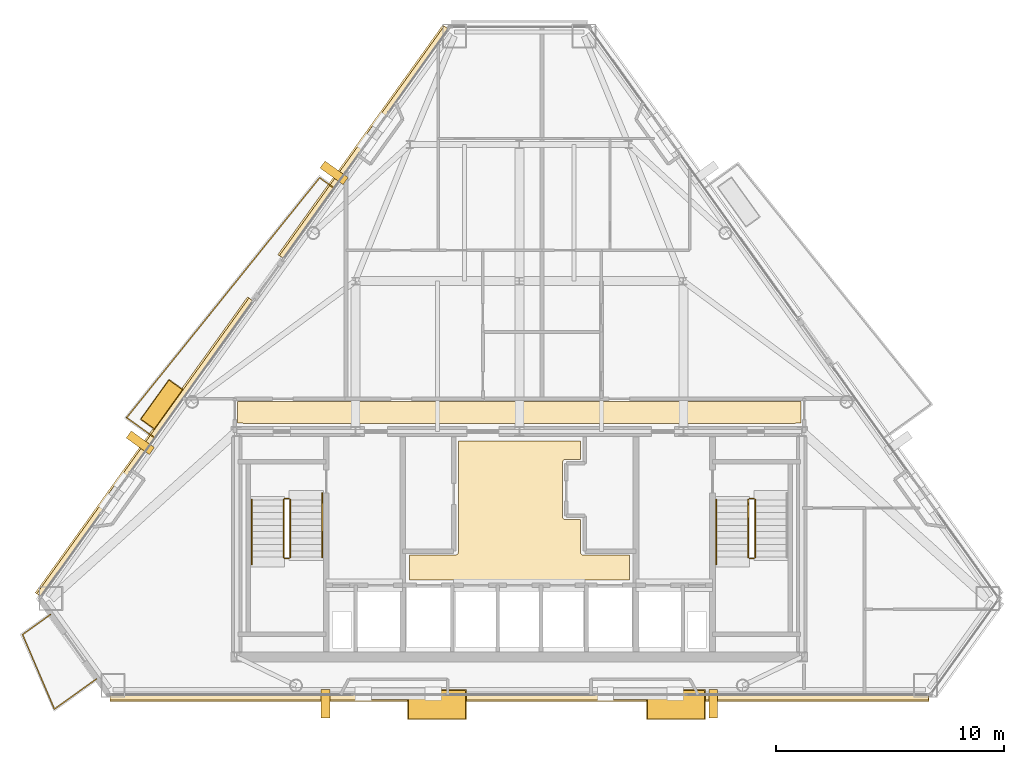
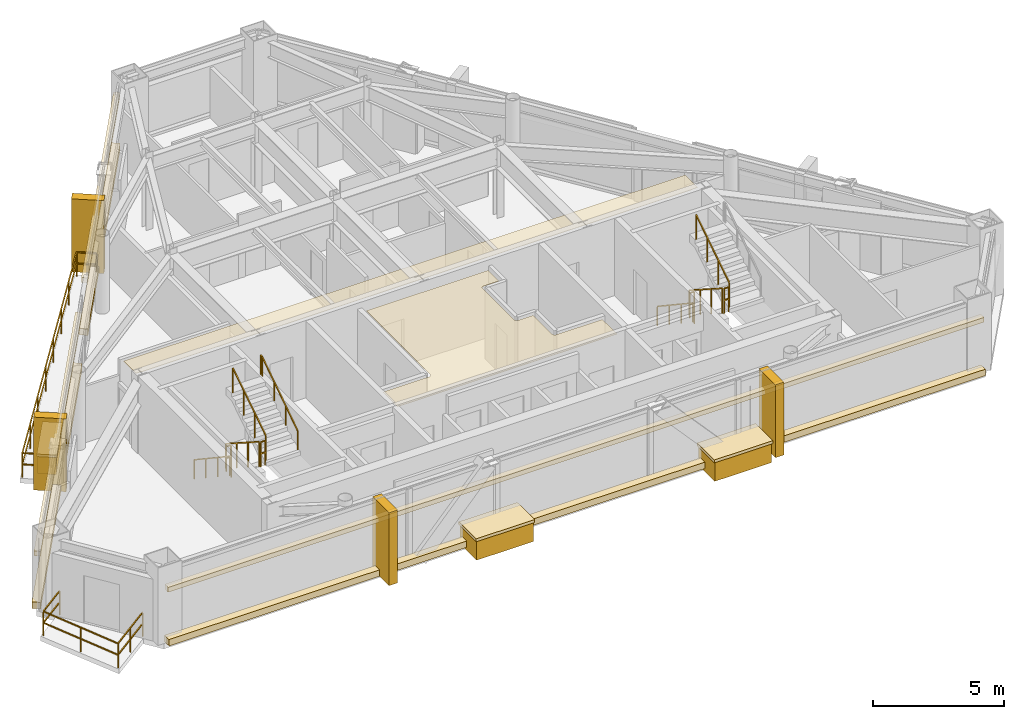
# One storey, part 10 of 11: 18 coverings, 13 railings.
"""IFC4 building model written with IfcOpenShell, lengths in metres."""

from ifc_helpers import new_model, si_unit, direction, frame, origin, origin_2d, place, context, subcontext, project, spatial, polyline, rectangle, outline, extrude, material, layer, layer_set, type_object, element, save


model = new_model("IFC4")

# Units and contexts
model_context = context("Model", 3, precision=1e-05, world=origin(), true_north=direction((0.0, 1.0)))
body_context = subcontext(model_context, "Body", "Model", "MODEL_VIEW")
ifc_project = project(units=[si_unit("LENGTHUNIT", "METRE"), si_unit("AREAUNIT", "SQUARE_METRE"), si_unit("VOLUMEUNIT", "CUBIC_METRE"), si_unit("PLANEANGLEUNIT", "RADIAN"), si_unit("MASSUNIT", "GRAM", prefix="KILO")], contexts=[model_context])

# Site, building, storey
site_placement = place(None, origin())
site = spatial("IfcSite", under=ifc_project, at=site_placement, CompositionType="ELEMENT")
building_placement = place(site_placement, origin())
building = spatial("IfcBuilding", under=site, at=building_placement, Name="Talgorran Terracotta Tower", CompositionType="ELEMENT")
storey_placement = place(building_placement, frame((0.0, 0.0, 218.10009765625)))
storey = spatial("IfcBuildingStorey", under=building, at=storey_placement, Name="L57", CompositionType="ELEMENT", Elevation=218.10009765625)

# Coverings
ifc_material_1 = material(Name="Kiln-Fired Terracotta Ochre Ceramic", Category="masonry")
ifc_layer_1 = layer(ifc_material_1, 0.179931640625, Name="COV_BAGUETTE_TERRACOTTA_SCREEN")
ifc_layer_set_1 = layer_set([ifc_layer_1], Name="Kiln-Fired Terracotta Ochre Ceramic")
covering_type_1 = type_object("IfcCoveringType", Name="COV_BAGUETTE_TERRACOTTA_SCREEN", PredefinedType="CLADDING", material=ifc_layer_set_1)
covering_1_placement = place(storey_placement, frame((0.0, -15.852294921875, 2.41015625), z_axis=(0.0, 0.0, 1.0), x_axis=(1.0, 0.0, 0.0)))
element("IfcCovering", 1, at=covering_1_placement, inside=storey, type_object=covering_type_1, Name="L57 Terracotta Baguette Solar Screen Assembly F1", PredefinedType="CLADDING", context=body_context, shape_type="SweptSolid", body=[
    extrude(rectangle(XDim=35.930908203125, YDim=0.260009765625, at=origin_2d()), origin(), (0.0, 0.0, 1.0), 0.219970703125),
])
covering_2_placement = place(storey_placement, frame((-6.808837890625, 8.485107421875, 2.41015625), z_axis=(0.0, 0.0, 1.0), x_axis=(-0.583115925445, -0.812388957023, 0.0)))
element("IfcCovering", 2, at=covering_2_placement, inside=storey, type_object=covering_type_1, Name="L57 Terracotta Baguette Solar Screen Assembly F60", PredefinedType="CLADDING", context=body_context, shape_type="SweptSolid", body=[
    extrude(rectangle(XDim=12.39990234375, YDim=0.260009765625, at=origin_2d()), origin(), (0.0, 0.0, 1.0), 0.219970703125),
])
covering_3_placement = place(storey_placement, frame((-16.4208984375, -4.906005859375, 2.41015625), z_axis=(0.0, 0.0, 1.0), x_axis=(-0.583115925445, -0.812388957023, 0.0)))
element("IfcCovering", 3, at=covering_3_placement, inside=storey, type_object=covering_type_1, Name="L57 Terracotta Baguette Solar Screen Assembly F61", PredefinedType="CLADDING", context=body_context, shape_type="SweptSolid", body=[
    extrude(rectangle(XDim=15.96728515625, YDim=0.260009765625, at=origin_2d()), origin(), (0.0, 0.0, 1.0), 0.219970703125),
])
ifc_material_2 = material(Name="Mineral Fibre Acoustic Tile")
ifc_layer_2 = layer(ifc_material_2, 0.02490234375, Name="COV_CEIL_ACOUSTIC")
ifc_layer_set_2 = layer_set([ifc_layer_2], Name="Mineral Fibre Acoustic Tile")
covering_type_2 = type_object("IfcCoveringType", Name="COV_CEIL_ACOUSTIC", PredefinedType="CEILING", material=ifc_layer_set_2)
covering_4_placement = place(storey_placement, frame((0.0, 0.0, 3.2548828125)))
element("IfcCovering", 4, at=covering_4_placement, inside=storey, type_object=covering_type_2, Name="CEIL-L57-2", PredefinedType="CEILING", context=body_context, shape_type="SweptSolid", body=[
    extrude(outline(polyline([(-12.364990234375, -2.885009765625), (12.364990234375, -2.885009765625), (12.364990234375, -3.830078125), (12.169921875, -3.830078125), (12.158203125, -3.83056640625), (12.146484375, -3.832275390625), (12.13525390625, -3.835205078125), (12.1240234375, -3.839111328125), (12.11328125, -3.84423828125), (12.112060546875, -3.844970703125), (7.432861328125, -3.844970703125), (6.968017578125, -3.843017578125), (6.967529296875, -3.843017578125), (0.232666015625, -3.844970703125), (-0.23193359375, -3.843017578125), (-0.232421875, -3.843017578125), (-6.96728515625, -3.844970703125), (-7.431884765625, -3.843017578125), (-7.4326171875, -3.843017578125), (-12.112060546875, -3.844970703125), (-12.11328125, -3.84423828125), (-12.1240234375, -3.839111328125), (-12.13525390625, -3.835205078125), (-12.146484375, -3.832275390625), (-12.158203125, -3.83056640625), (-12.169921875, -3.830078125), (-12.364990234375, -3.830078125), (-12.364990234375, -2.885009765625)])), origin(), (0.0, 0.0, 1.0), 0.02001953125),
])
ifc_material_3 = material(Name="Flush Moisture-Resistant Plaster")
ifc_layer_3 = layer(ifc_material_3, 0.01806640625, Name="COV_CEIL_PLASTER")
ifc_layer_set_3 = layer_set([ifc_layer_3], Name="Flush Moisture-Resistant Plaster")
covering_type_3 = type_object("IfcCoveringType", Name="COV_CEIL_PLASTER", PredefinedType="CEILING", material=ifc_layer_set_3)
covering_5_placement = place(storey_placement, frame((0.0, 0.0, 3.2548828125)))
element("IfcCovering", 5, at=covering_5_placement, inside=storey, type_object=covering_type_3, Name="CEIL-L57-1", PredefinedType="CEILING", context=body_context, shape_type="SweptSolid", body=[
    extrude(outline(polyline([(4.830078125, -9.6201171875), (4.830078125, -10.72998046875), (-4.830078125, -10.72998046875), (-4.830078125, -9.6201171875), (-2.800048828125, -9.6201171875), (-2.7880859375, -9.619384765625), (-2.776611328125, -9.61767578125), (-2.76513671875, -9.61474609375), (-2.754150390625, -9.61083984375), (-2.743408203125, -9.605712890625), (-2.7333984375, -9.599853515625), (-2.723876953125, -9.5927734375), (-2.715087890625, -9.5849609375), (-2.707275390625, -9.576171875), (-2.7001953125, -9.566650390625), (-2.694091796875, -9.556640625), (-2.689208984375, -9.5458984375), (-2.685302734375, -9.534912109375), (-2.682373046875, -9.5234375), (-2.6806640625, -9.51171875), (-2.679931640625, -9.5), (-2.679931640625, -4.6201171875), (2.679931640625, -4.6201171875), (2.679931640625, -5.429931640625), (2.02001953125, -5.429931640625), (2.00830078125, -5.4306640625), (1.99658203125, -5.432373046875), (1.985107421875, -5.435302734375), (1.97412109375, -5.439208984375), (1.96337890625, -5.444091796875), (1.953369140625, -5.4501953125), (1.94384765625, -5.457275390625), (1.93505859375, -5.465087890625), (1.92724609375, -5.473876953125), (1.920166015625, -5.4833984375), (1.914306640625, -5.493408203125), (1.9091796875, -5.504150390625), (1.9052734375, -5.51513671875), (1.90234375, -5.526611328125), (1.900634765625, -5.5380859375), (1.89990234375, -5.550048828125), (1.89990234375, -7.949951171875), (1.900634765625, -7.9619140625), (1.90234375, -7.973388671875), (1.9052734375, -7.98486328125), (1.9091796875, -7.995849609375), (1.914306640625, -8.006591796875), (1.920166015625, -8.0166015625), (1.92724609375, -8.026123046875), (1.93505859375, -8.034912109375), (1.94384765625, -8.042724609375), (1.953369140625, -8.0498046875), (1.96337890625, -8.055908203125), (1.97412109375, -8.060791015625), (1.985107421875, -8.064697265625), (1.99658203125, -8.067626953125), (2.00830078125, -8.0693359375), (2.02001953125, -8.070068359375), (2.679931640625, -8.070068359375), (2.679931640625, -9.5), (2.6806640625, -9.51171875), (2.682373046875, -9.5234375), (2.685302734375, -9.534912109375), (2.689208984375, -9.5458984375), (2.694091796875, -9.556640625), (2.7001953125, -9.566650390625), (2.707275390625, -9.576171875), (2.715087890625, -9.5849609375), (2.723876953125, -9.5927734375), (2.7333984375, -9.599853515625), (2.743408203125, -9.605712890625), (2.754150390625, -9.61083984375), (2.76513671875, -9.61474609375), (2.776611328125, -9.61767578125), (2.7880859375, -9.619384765625), (2.800048828125, -9.6201171875), (4.830078125, -9.6201171875)])), origin(), (0.0, 0.0, 1.0), 0.02001953125),
])
ifc_material_4 = material(Name="Honed Limestone and Terracotta Planter", Category="masonry")
ifc_layer_4 = layer(ifc_material_4, 0.1201171875, Name="COV_PLANTER_BOX")
ifc_layer_set_4 = layer_set([ifc_layer_4], Name="Honed Limestone and Terracotta Planter")
covering_type_4 = type_object("IfcCoveringType", Name="COV_PLANTER_BOX", PredefinedType="CLADDING", material=ifc_layer_set_4)
for number, where, z_axis, x_axis, name in (
    (6, (6.876953125, -16.192138671875, -0.18017578125), (0.0, 0.0, 1.0), (1.0, 0.0, 0.0), "L57 Staggered South Facade Planter Box 1"),
    (7, (-3.619384765625, -16.192138671875, -0.18017578125), (0.0, 0.0, 1.0), (1.0, 0.0, 0.0), "L57 Staggered South Facade Planter Box 2"),
):
    element("IfcCovering", number, at=place(storey_placement, frame(where, z_axis=z_axis, x_axis=x_axis)), inside=storey, type_object=covering_type_4, Name=name, PredefinedType="CLADDING", context=body_context, shape_type="SweptSolid", body=[
        extrude(rectangle(XDim=2.5, YDim=1.25, at=origin_2d()), origin(), (0.0, 0.0, 1.0), 0.919921875),
    ])
covering_6_placement = place(storey_placement, frame((-15.699462890625, -3.010986328125, -0.02001953125), z_axis=(0.0, 0.0, 1.0), x_axis=(-0.583115925445, -0.812388957023, 0.0)))
element("IfcCovering", 8, at=covering_6_placement, inside=storey, type_object=covering_type_4, Name="L57 Staggered Balcony Planter Box BAL-NW", PredefinedType="CLADDING", context=body_context, shape_type="SweptSolid", body=[
    extrude(rectangle(XDim=2.10009765625, YDim=0.719970703125, at=origin_2d()), origin(), (0.0, 0.0, 1.0), 0.860107421875),
])
ifc_material_5 = material(Name="Kiln-Fired Terracotta Planter Rim", Category="masonry")
ifc_layer_5 = layer(ifc_material_5, 0.10009765625, Name="COV_PLANTER_RIM")
ifc_layer_set_5 = layer_set([ifc_layer_5], Name="Kiln-Fired Terracotta Planter Rim")
covering_type_5 = type_object("IfcCoveringType", Name="COV_PLANTER_RIM", PredefinedType="CLADDING", material=ifc_layer_set_5)
for number, where, z_axis, x_axis, name in (
    (9, (6.876953125, -16.192138671875, 0.7099609375), (0.0, 0.0, 1.0), (1.0, 0.0, 0.0), "L57 South Planter Terracotta Rim 1"),
    (10, (-3.619384765625, -16.192138671875, 0.7099609375), (0.0, 0.0, 1.0), (1.0, 0.0, 0.0), "L57 South Planter Terracotta Rim 2"),
):
    element("IfcCovering", number, at=place(storey_placement, frame(where, z_axis=z_axis, x_axis=x_axis)), inside=storey, type_object=covering_type_5, Name=name, PredefinedType="CLADDING", context=body_context, shape_type="SweptSolid", body=[
        extrude(rectangle(XDim=2.580078125, YDim=1.320068359375, at=origin_2d()), origin(), (0.0, 0.0, 1.0), 0.139892578125),
    ])
covering_7_placement = place(storey_placement, frame((-15.699462890625, -3.010986328125, 0.7998046875), z_axis=(0.0, 0.0, 1.0), x_axis=(-0.583115925445, -0.812388957023, 0.0)))
element("IfcCovering", 11, at=covering_7_placement, inside=storey, type_object=covering_type_5, Name="L57 Balcony Planter Terracotta Rim BAL-NW", PredefinedType="CLADDING", context=body_context, shape_type="SweptSolid", body=[
    extrude(rectangle(XDim=2.179931640625, YDim=0.780029296875, at=origin_2d()), origin(), (0.0, 0.0, 1.0), 0.1201171875),
])
ifc_material_6 = material(Name="Honed Limestone Cladding", Category="masonry")
ifc_layer_6 = layer(ifc_material_6, 0.094970703125, Name="COV_PORTAL_LIME")
ifc_layer_set_6 = layer_set([ifc_layer_6], Name="Honed Limestone Cladding")
covering_type_6 = type_object("IfcCoveringType", Name="COV_PORTAL_LIME", PredefinedType="CLADDING", material=ifc_layer_set_6)
for number, where, z_axis, x_axis, name in (
    (12, (-8.505615234375, -16.152099609375, -0.050048828125), (0.0, 0.0, 1.0), (1.0, 0.0, 0.0), "L57 White Striped Portal Fin F1-1"),
    (13, (-8.133056640625, 7.15478515625, -0.050048828125), (0.0, 0.0, 1.0), (-0.583115925445, -0.812388957023, 0.0), "L57 White Striped Portal Fin F5-1"),
):
    element("IfcCovering", number, at=place(storey_placement, frame(where, z_axis=z_axis, x_axis=x_axis)), inside=storey, type_object=covering_type_6, Name=name, PredefinedType="CLADDING", context=body_context, shape_type="SweptSolid", body=[
        extrude(rectangle(XDim=0.3798828125, YDim=1.25, at=origin_2d()), origin(), (0.0, 0.0, 1.0), 3.39501953125),
    ])
ifc_material_7 = material(Name="Kiln-Fired Terracotta Cladding", Category="masonry")
ifc_layer_7 = layer(ifc_material_7, 0.090087890625, Name="COV_PORTAL_TERRA")
ifc_layer_set_7 = layer_set([ifc_layer_7], Name="Kiln-Fired Terracotta Cladding")
covering_type_7 = type_object("IfcCoveringType", Name="COV_PORTAL_TERRA", PredefinedType="CLADDING", material=ifc_layer_set_7)
covering_8_placement = place(storey_placement, frame((0.0, -15.89208984375, -0.0400390625), z_axis=(0.0, 0.0, 1.0), x_axis=(1.0, 0.0, 0.0)))
element("IfcCovering", 14, at=covering_8_placement, inside=storey, type_object=covering_type_7, Name="L57 Striped Postmodern Portal Cladding Band F1", PredefinedType="CLADDING", context=body_context, shape_type="SweptSolid", body=[
    extrude(rectangle(XDim=35.95068359375, YDim=0.340087890625, at=origin_2d()), origin(), (0.0, 0.0, 1.0), 0.300048828125),
])
covering_9_placement = place(storey_placement, frame((-6.84130859375, 8.508544921875, -0.0400390625), z_axis=(0.0, 0.0, 1.0), x_axis=(-0.583115925445, -0.812388957023, 0.0)))
element("IfcCovering", 15, at=covering_9_placement, inside=storey, type_object=covering_type_7, Name="L57 Striped Postmodern Portal Cladding Band F60", PredefinedType="CLADDING", context=body_context, shape_type="SweptSolid", body=[
    extrude(rectangle(XDim=12.419921875, YDim=0.340087890625, at=origin_2d()), origin(), (0.0, 0.0, 1.0), 0.300048828125),
])
covering_10_placement = place(storey_placement, frame((-16.453369140625, -4.8828125, -0.0400390625), z_axis=(0.0, 0.0, 1.0), x_axis=(-0.583115925445, -0.812388957023, 0.0)))
element("IfcCovering", 16, at=covering_10_placement, inside=storey, type_object=covering_type_7, Name="L57 Striped Postmodern Portal Cladding Band F61", PredefinedType="CLADDING", context=body_context, shape_type="SweptSolid", body=[
    extrude(rectangle(XDim=15.9873046875, YDim=0.340087890625, at=origin_2d()), origin(), (0.0, 0.0, 1.0), 0.300048828125),
])
for number, where, z_axis, x_axis, name in (
    (17, (8.505615234375, -16.152099609375, -0.050048828125), (0.0, 0.0, 1.0), (1.0, 0.0, 0.0), "L57 Terracotta Striped Portal Fin F1-2"),
    (18, (-16.638671875, -4.695068359375, -0.050048828125), (0.0, 0.0, 1.0), (-0.583115925445, -0.812388957023, 0.0), "L57 Terracotta Striped Portal Fin F5-2"),
):
    element("IfcCovering", number, at=place(storey_placement, frame(where, z_axis=z_axis, x_axis=x_axis)), inside=storey, type_object=covering_type_7, Name=name, PredefinedType="CLADDING", context=body_context, shape_type="SweptSolid", body=[
        extrude(rectangle(XDim=0.3798828125, YDim=1.25, at=origin_2d()), origin(), (0.0, 0.0, 1.0), 3.39501953125),
    ])

# Railings
ifc_material_8 = material(Name="Laminated Glass and Stainless Steel 316", Category="steel")
railing_type_1 = type_object("IfcRailingType", Name="RL_BALCONY_1150", PredefinedType="BALUSTRADE", material=ifc_material_8)
railing_1_placement = place(storey_placement, frame((-8.142333984375, 6.490234375, 0.0)))
element("IfcRailing", 19, at=railing_1_placement, inside=storey, type_object=railing_type_1, Name="RL-L57-BAL-BAL-NW", PredefinedType="BALUSTRADE", context=body_context, shape_type="SweptSolid", body=[
    extrude(rectangle(XDim=0.048095703125, YDim=0.048095703125, at=origin_2d()), frame((0.0, 0.0, 1.1259765625), z_axis=(-0.812400885545, 0.583099306435, 0.0), x_axis=(-0.583099306435, -0.812400885545, 0.0)), (0.0, 0.0, 1.0), 0.768798828125),
    extrude(rectangle(XDim=0.048095703125, YDim=0.048095703125, at=origin_2d()), frame((0.0, 0.0, 0.597900390625), z_axis=(-0.812400885545, 0.583099306435, 0.0), x_axis=(-0.583099306435, -0.812400885545, 0.0)), (0.0, 0.0, 1.0), 0.768798828125),
    extrude(rectangle(XDim=0.048095703125, YDim=0.048095703125, at=origin_2d()), frame((-0.62451171875, 0.4482421875, 1.1259765625), z_axis=(-0.626748153954, -0.779221888499, 0.0), x_axis=(0.779221888499, -0.626748153954, 0.0)), (0.0, 0.0, 1.0), 13.515625),
    extrude(rectangle(XDim=0.048095703125, YDim=0.048095703125, at=origin_2d()), frame((-0.62451171875, 0.4482421875, 0.597900390625), z_axis=(-0.626748153954, -0.779221888499, 0.0), x_axis=(0.779221888499, -0.626748153954, 0.0)), (0.0, 0.0, 1.0), 13.515625),
    extrude(rectangle(XDim=0.048095703125, YDim=0.048095703125, at=origin_2d()), frame((-9.095458984375, -10.08349609375, 1.1259765625), z_axis=(0.812364996467, -0.583149305509, 0.0), x_axis=(0.583149305509, 0.812364996467, 0.0)), (0.0, 0.0, 1.0), 1.50927734375),
    extrude(rectangle(XDim=0.048095703125, YDim=0.048095703125, at=origin_2d()), frame((-9.095458984375, -10.08349609375, 0.597900390625), z_axis=(0.812364996467, -0.583149305509, 0.0), x_axis=(0.583149305509, 0.812364996467, 0.0)), (0.0, 0.0, 1.0), 1.50927734375),
    extrude(rectangle(XDim=0.0419921875, YDim=0.0419921875, at=origin_2d()), origin(), (0.0, 0.0, 1.0), 1.101806640625),
    extrude(rectangle(XDim=0.0419921875, YDim=0.0419921875, at=origin_2d()), frame((-0.62451171875, 0.4482421875, 0.0)), (0.0, 0.0, 1.0), 1.101806640625),
    extrude(rectangle(XDim=0.0419921875, YDim=0.0419921875, at=origin_2d()), frame((-1.834716796875, -1.056396484375, 0.0)), (0.0, 0.0, 1.0), 1.101806640625),
    extrude(rectangle(XDim=0.0419921875, YDim=0.0419921875, at=origin_2d()), frame((-3.044677734375, -2.560791015625, 0.0)), (0.0, 0.0, 1.0), 1.101806640625),
    extrude(rectangle(XDim=0.0419921875, YDim=0.0419921875, at=origin_2d()), frame((-4.2548828125, -4.0654296875, 0.0)), (0.0, 0.0, 1.0), 1.101806640625),
    extrude(rectangle(XDim=0.0419921875, YDim=0.0419921875, at=origin_2d()), frame((-5.465087890625, -5.56982421875, 0.0)), (0.0, 0.0, 1.0), 1.101806640625),
    extrude(rectangle(XDim=0.0419921875, YDim=0.0419921875, at=origin_2d()), frame((-6.67529296875, -7.074462890625, 0.0)), (0.0, 0.0, 1.0), 1.101806640625),
    extrude(rectangle(XDim=0.0419921875, YDim=0.0419921875, at=origin_2d()), frame((-7.88525390625, -8.578857421875, 0.0)), (0.0, 0.0, 1.0), 1.101806640625),
    extrude(rectangle(XDim=0.0419921875, YDim=0.0419921875, at=origin_2d()), frame((-9.095458984375, -10.08349609375, 0.0)), (0.0, 0.0, 1.0), 1.101806640625),
    extrude(rectangle(XDim=0.0419921875, YDim=0.0419921875, at=origin_2d()), frame((-7.869384765625, -10.963623046875, 0.0)), (0.0, 0.0, 1.0), 1.101806640625),
])
railing_2_placement = place(storey_placement, frame((-20.583251953125, -12.23681640625, 0.0)))
element("IfcRailing", 20, at=railing_2_placement, inside=storey, type_object=railing_type_1, Name="RL-L57-BAL-BAL-SW", PredefinedType="BALUSTRADE", context=body_context, shape_type="SweptSolid", body=[
    extrude(rectangle(XDim=0.048095703125, YDim=0.048095703125, at=origin_2d()), frame((0.0, 0.0, 1.1259765625), z_axis=(-0.812363086418, -0.583151966322, 0.0), x_axis=(0.583151966322, -0.812363086418, 0.0)), (0.0, 0.0, 1.0), 1.507080078125),
    extrude(rectangle(XDim=0.048095703125, YDim=0.048095703125, at=origin_2d()), frame((0.0, 0.0, 0.597900390625), z_axis=(-0.812363086418, -0.583151966322, 0.0), x_axis=(0.583151966322, -0.812363086418, 0.0)), (0.0, 0.0, 1.0), 1.507080078125),
    extrude(rectangle(XDim=0.048095703125, YDim=0.048095703125, at=origin_2d()), frame((-1.224365234375, -0.87890625, 1.1259765625), z_axis=(0.39291697876, -0.919573949067, 0.0), x_axis=(0.919573949067, 0.39291697876, 0.0)), (0.0, 0.0, 1.0), 3.557861328125),
    extrude(rectangle(XDim=0.048095703125, YDim=0.048095703125, at=origin_2d()), frame((-1.224365234375, -0.87890625, 0.597900390625), z_axis=(0.39291697876, -0.919573949067, 0.0), x_axis=(0.919573949067, 0.39291697876, 0.0)), (0.0, 0.0, 1.0), 3.557861328125),
    extrude(rectangle(XDim=0.048095703125, YDim=0.048095703125, at=origin_2d()), frame((0.173583984375, -4.150634765625, 1.1259765625), z_axis=(0.812370574053, 0.583141535489, 0.0), x_axis=(-0.583141535489, 0.812370574053, 0.0)), (0.0, 0.0, 1.0), 2.279296875),
    extrude(rectangle(XDim=0.048095703125, YDim=0.048095703125, at=origin_2d()), frame((0.173583984375, -4.150634765625, 0.597900390625), z_axis=(0.812370574053, 0.583141535489, 0.0), x_axis=(-0.583141535489, 0.812370574053, 0.0)), (0.0, 0.0, 1.0), 2.279296875),
    extrude(rectangle(XDim=0.0419921875, YDim=0.0419921875, at=origin_2d()), origin(), (0.0, 0.0, 1.0), 1.101806640625),
    extrude(rectangle(XDim=0.0419921875, YDim=0.0419921875, at=origin_2d()), frame((-1.224365234375, -0.87890625, 0.0)), (0.0, 0.0, 1.0), 1.101806640625),
    extrude(rectangle(XDim=0.0419921875, YDim=0.0419921875, at=origin_2d()), frame((-0.525390625, -2.5146484375, 0.0)), (0.0, 0.0, 1.0), 1.101806640625),
    extrude(rectangle(XDim=0.0419921875, YDim=0.0419921875, at=origin_2d()), frame((0.173583984375, -4.150634765625, 0.0)), (0.0, 0.0, 1.0), 1.101806640625),
    extrude(rectangle(XDim=0.0419921875, YDim=0.0419921875, at=origin_2d()), frame((1.099365234375, -3.486083984375, 0.0)), (0.0, 0.0, 1.0), 1.101806640625),
    extrude(rectangle(XDim=0.0419921875, YDim=0.0419921875, at=origin_2d()), frame((2.025146484375, -2.821533203125, 0.0)), (0.0, 0.0, 1.0), 1.101806640625),
])
ifc_material_9 = material(Name="Steel S355 (300PLUS)", Category="steel")
railing_type_2 = type_object("IfcRailingType", Name="RL_HANDRAIL_920", PredefinedType="HANDRAIL", material=ifc_material_9)
railing_3_placement = place(storey_placement, frame((-11.75, -7.199951171875, 0.179931640625)))
element("IfcRailing", 21, at=railing_3_placement, inside=storey, type_object=railing_type_2, Name="L57 ST-01 stair handrail 1", PredefinedType="HANDRAIL", context=body_context, shape_type="SweptSolid", body=[
    extrude(rectangle(XDim=0.048095703125, YDim=0.048095703125, at=origin_2d()), frame((0.0, 0.0, 0.89599609375), z_axis=(0.0, -0.832038719335, 0.554717558338), x_axis=(1.0, 0.0, 0.0)), (0.0, 0.0, 1.0), 3.244873046875),
    extrude(rectangle(XDim=0.048095703125, YDim=0.048095703125, at=origin_2d()), frame((0.0, -2.699951171875, 2.69580078125), z_axis=(0.0, -1.0, 0.0), x_axis=(1.0, 0.0, 0.0)), (0.0, 0.0, 1.0), 0.1201171875),
    extrude(rectangle(XDim=0.0419921875, YDim=0.0419921875, at=origin_2d()), origin(), (0.0, 0.0, 1.0), 0.871826171875),
    extrude(rectangle(XDim=0.0419921875, YDim=0.0419921875, at=origin_2d()), frame((0.0, -0.89990234375, 0.60009765625)), (0.0, 0.0, 1.0), 0.871826171875),
    extrude(rectangle(XDim=0.0419921875, YDim=0.0419921875, at=origin_2d()), frame((0.0, -1.800048828125, 1.199951171875)), (0.0, 0.0, 1.0), 0.871826171875),
    extrude(rectangle(XDim=0.0419921875, YDim=0.0419921875, at=origin_2d()), frame((0.0, -2.699951171875, 1.800048828125)), (0.0, 0.0, 1.0), 0.871826171875),
    extrude(rectangle(XDim=0.0419921875, YDim=0.0419921875, at=origin_2d()), frame((0.0, -2.820068359375, 1.800048828125)), (0.0, 0.0, 1.0), 0.871826171875),
])
railing_4_placement = place(storey_placement, frame((-8.64990234375, -9.719970703125, 1.97998046875)))
element("IfcRailing", 22, at=railing_4_placement, inside=storey, type_object=railing_type_2, Name="L57 ST-01 stair handrail 2", PredefinedType="HANDRAIL", context=body_context, shape_type="SweptSolid", body=[
    extrude(rectangle(XDim=0.048095703125, YDim=0.048095703125, at=origin_2d()), frame((0.0, 0.0, 0.89599609375), z_axis=(0.0, 0.832073444223, 0.554665469827), x_axis=(-1.0, 0.0, 0.0)), (0.0, 0.0, 1.0), 3.244873046875),
    extrude(rectangle(XDim=0.048095703125, YDim=0.048095703125, at=origin_2d()), frame((0.0, 2.699951171875, 2.69580078125), z_axis=(0.0, 1.0, 0.0), x_axis=(-1.0, 0.0, 0.0)), (0.0, 0.0, 1.0), 0.1201171875),
    extrude(rectangle(XDim=0.0419921875, YDim=0.0419921875, at=origin_2d()), origin(), (0.0, 0.0, 1.0), 0.871826171875),
    extrude(rectangle(XDim=0.0419921875, YDim=0.0419921875, at=origin_2d()), frame((0.0, 0.89990234375, 0.599853515625)), (0.0, 0.0, 1.0), 0.871826171875),
    extrude(rectangle(XDim=0.0419921875, YDim=0.0419921875, at=origin_2d()), frame((0.0, 1.800048828125, 1.199951171875)), (0.0, 0.0, 1.0), 0.871826171875),
    extrude(rectangle(XDim=0.0419921875, YDim=0.0419921875, at=origin_2d()), frame((0.0, 2.699951171875, 1.7998046875)), (0.0, 0.0, 1.0), 0.871826171875),
    extrude(rectangle(XDim=0.0419921875, YDim=0.0419921875, at=origin_2d()), frame((0.0, 2.820068359375, 1.7998046875)), (0.0, 0.0, 1.0), 0.871826171875),
])
railing_5_placement = place(storey_placement, frame((8.64990234375, -7.199951171875, 0.179931640625)))
element("IfcRailing", 23, at=railing_5_placement, inside=storey, type_object=railing_type_2, Name="L57 ST-02 stair handrail 1", PredefinedType="HANDRAIL", context=body_context, shape_type="SweptSolid", body=[
    extrude(rectangle(XDim=0.048095703125, YDim=0.048095703125, at=origin_2d()), frame((0.0, 0.0, 0.89599609375), z_axis=(0.0, -0.832038719335, 0.554717558338), x_axis=(1.0, 0.0, 0.0)), (0.0, 0.0, 1.0), 3.244873046875),
    extrude(rectangle(XDim=0.048095703125, YDim=0.048095703125, at=origin_2d()), frame((0.0, -2.699951171875, 2.69580078125), z_axis=(0.0, -1.0, 0.0), x_axis=(1.0, 0.0, 0.0)), (0.0, 0.0, 1.0), 0.1201171875),
    extrude(rectangle(XDim=0.0419921875, YDim=0.0419921875, at=origin_2d()), origin(), (0.0, 0.0, 1.0), 0.871826171875),
    extrude(rectangle(XDim=0.0419921875, YDim=0.0419921875, at=origin_2d()), frame((0.0, -0.89990234375, 0.60009765625)), (0.0, 0.0, 1.0), 0.871826171875),
    extrude(rectangle(XDim=0.0419921875, YDim=0.0419921875, at=origin_2d()), frame((0.0, -1.800048828125, 1.199951171875)), (0.0, 0.0, 1.0), 0.871826171875),
    extrude(rectangle(XDim=0.0419921875, YDim=0.0419921875, at=origin_2d()), frame((0.0, -2.699951171875, 1.800048828125)), (0.0, 0.0, 1.0), 0.871826171875),
    extrude(rectangle(XDim=0.0419921875, YDim=0.0419921875, at=origin_2d()), frame((0.0, -2.820068359375, 1.800048828125)), (0.0, 0.0, 1.0), 0.871826171875),
])
railing_type_3 = type_object("IfcRailingType", Name="RL_STAIR_GUARD", PredefinedType="GUARDRAIL", material=ifc_material_9)
railing_6_placement = place(storey_placement, frame((-10.35009765625, -7.199951171875, 0.179931640625)))
element("IfcRailing", 24, at=railing_6_placement, inside=storey, type_object=railing_type_3, Name="L57 ST-01 stair guard 1", PredefinedType="GUARDRAIL", context=body_context, shape_type="SweptSolid", body=[
    extrude(rectangle(XDim=0.048095703125, YDim=0.048095703125, at=origin_2d()), frame((0.0, 0.0, 1.15576171875), z_axis=(0.0, -0.841199657755, 0.540724639528), x_axis=(1.0, 0.0, 0.0)), (0.0, 0.0, 1.0), 2.995849609375),
    extrude(rectangle(XDim=0.0419921875, YDim=0.0419921875, at=origin_2d()), origin(), (0.0, 0.0, 1.0), 1.1318359375),
    extrude(rectangle(XDim=0.0419921875, YDim=0.0419921875, at=origin_2d()), frame((0.0, -0.840087890625, 0.5400390625)), (0.0, 0.0, 1.0), 1.1318359375),
    extrude(rectangle(XDim=0.0419921875, YDim=0.0419921875, at=origin_2d()), frame((0.0, -1.679931640625, 1.079833984375)), (0.0, 0.0, 1.0), 1.1318359375),
    extrude(rectangle(XDim=0.0419921875, YDim=0.0419921875, at=origin_2d()), frame((0.0, -2.52001953125, 1.619873046875)), (0.0, 0.0, 1.0), 1.1318359375),
])
railing_7_placement = place(storey_placement, frame((-10.300048828125, -9.77001953125, 1.7998046875)))
element("IfcRailing", 25, at=railing_7_placement, inside=storey, type_object=railing_type_3, Name="L57 ST-01 stair guard 2", PredefinedType="GUARDRAIL", context=body_context, shape_type="SweptSolid", body=[
    extrude(rectangle(XDim=0.048095703125, YDim=0.048095703125, at=origin_2d()), frame((0.0, 0.0, 1.15576171875), z_axis=(1.0, 0.0, 0.0), x_axis=(0.0, 1.0, 0.0)), (0.0, 0.0, 1.0), 0.199951171875),
    extrude(rectangle(XDim=0.048095703125, YDim=0.048095703125, at=origin_2d()), frame((0.0, 0.0, 0.613525390625), z_axis=(1.0, 0.0, 0.0), x_axis=(0.0, 1.0, 0.0)), (0.0, 0.0, 1.0), 0.199951171875),
    extrude(rectangle(XDim=0.0419921875, YDim=0.0419921875, at=origin_2d()), origin(), (0.0, 0.0, 1.0), 1.1318359375),
    extrude(rectangle(XDim=0.0419921875, YDim=0.0419921875, at=origin_2d()), frame((0.199951171875, 0.0, 0.0)), (0.0, 0.0, 1.0), 1.1318359375),
])
railing_8_placement = place(storey_placement, frame((-10.050048828125, -9.719970703125, 1.97998046875)))
element("IfcRailing", 26, at=railing_8_placement, inside=storey, type_object=railing_type_3, Name="L57 ST-01 stair guard 3", PredefinedType="GUARDRAIL", context=body_context, shape_type="SweptSolid", body=[
    extrude(rectangle(XDim=0.048095703125, YDim=0.048095703125, at=origin_2d()), frame((0.0, 0.0, 1.15576171875), z_axis=(0.0, 0.841199657755, 0.540724639528), x_axis=(-1.0, 0.0, 0.0)), (0.0, 0.0, 1.0), 2.995849609375),
    extrude(rectangle(XDim=0.0419921875, YDim=0.0419921875, at=origin_2d()), origin(), (0.0, 0.0, 1.0), 1.1318359375),
    extrude(rectangle(XDim=0.0419921875, YDim=0.0419921875, at=origin_2d()), frame((0.0, 0.840087890625, 0.5400390625)), (0.0, 0.0, 1.0), 1.1318359375),
    extrude(rectangle(XDim=0.0419921875, YDim=0.0419921875, at=origin_2d()), frame((0.0, 1.679931640625, 1.079833984375)), (0.0, 0.0, 1.0), 1.1318359375),
    extrude(rectangle(XDim=0.0419921875, YDim=0.0419921875, at=origin_2d()), frame((0.0, 2.52001953125, 1.619873046875)), (0.0, 0.0, 1.0), 1.1318359375),
])
railing_9_placement = place(storey_placement, frame((-10.300048828125, -7.14990234375, 0.0)))
element("IfcRailing", 27, at=railing_9_placement, inside=storey, type_object=railing_type_3, Name="L57 ST-01 stair guard 4", PredefinedType="GUARDRAIL", context=body_context, shape_type="SweptSolid", body=[
    extrude(rectangle(XDim=0.048095703125, YDim=0.048095703125, at=origin_2d()), frame((0.0, 0.0, 1.15576171875), z_axis=(1.0, 0.0, 0.0), x_axis=(0.0, 1.0, 0.0)), (0.0, 0.0, 1.0), 0.199951171875),
    extrude(rectangle(XDim=0.048095703125, YDim=0.048095703125, at=origin_2d()), frame((0.0, 0.0, 0.613525390625), z_axis=(1.0, 0.0, 0.0), x_axis=(0.0, 1.0, 0.0)), (0.0, 0.0, 1.0), 0.199951171875),
    extrude(rectangle(XDim=0.0419921875, YDim=0.0419921875, at=origin_2d()), origin(), (0.0, 0.0, 1.0), 1.1318359375),
    extrude(rectangle(XDim=0.0419921875, YDim=0.0419921875, at=origin_2d()), frame((0.199951171875, 0.0, 0.0)), (0.0, 0.0, 1.0), 1.1318359375),
])
railing_10_placement = place(storey_placement, frame((10.050048828125, -7.199951171875, 0.179931640625)))
element("IfcRailing", 28, at=railing_10_placement, inside=storey, type_object=railing_type_3, Name="L57 ST-02 stair guard 1", PredefinedType="GUARDRAIL", context=body_context, shape_type="SweptSolid", body=[
    extrude(rectangle(XDim=0.048095703125, YDim=0.048095703125, at=origin_2d()), frame((0.0, 0.0, 1.15576171875), z_axis=(0.0, -0.841199657755, 0.540724639528), x_axis=(1.0, 0.0, 0.0)), (0.0, 0.0, 1.0), 2.995849609375),
    extrude(rectangle(XDim=0.0419921875, YDim=0.0419921875, at=origin_2d()), origin(), (0.0, 0.0, 1.0), 1.1318359375),
    extrude(rectangle(XDim=0.0419921875, YDim=0.0419921875, at=origin_2d()), frame((0.0, -0.840087890625, 0.5400390625)), (0.0, 0.0, 1.0), 1.1318359375),
    extrude(rectangle(XDim=0.0419921875, YDim=0.0419921875, at=origin_2d()), frame((0.0, -1.679931640625, 1.079833984375)), (0.0, 0.0, 1.0), 1.1318359375),
    extrude(rectangle(XDim=0.0419921875, YDim=0.0419921875, at=origin_2d()), frame((0.0, -2.52001953125, 1.619873046875)), (0.0, 0.0, 1.0), 1.1318359375),
])
railing_11_placement = place(storey_placement, frame((10.10009765625, -9.77001953125, 1.7998046875)))
element("IfcRailing", 29, at=railing_11_placement, inside=storey, type_object=railing_type_3, Name="L57 ST-02 stair guard 2", PredefinedType="GUARDRAIL", context=body_context, shape_type="SweptSolid", body=[
    extrude(rectangle(XDim=0.048095703125, YDim=0.048095703125, at=origin_2d()), frame((0.0, 0.0, 1.15576171875), z_axis=(1.0, 0.0, 0.0), x_axis=(0.0, 1.0, 0.0)), (0.0, 0.0, 1.0), 0.199951171875),
    extrude(rectangle(XDim=0.048095703125, YDim=0.048095703125, at=origin_2d()), frame((0.0, 0.0, 0.613525390625), z_axis=(1.0, 0.0, 0.0), x_axis=(0.0, 1.0, 0.0)), (0.0, 0.0, 1.0), 0.199951171875),
    extrude(rectangle(XDim=0.0419921875, YDim=0.0419921875, at=origin_2d()), origin(), (0.0, 0.0, 1.0), 1.1318359375),
    extrude(rectangle(XDim=0.0419921875, YDim=0.0419921875, at=origin_2d()), frame((0.199951171875, 0.0, 0.0)), (0.0, 0.0, 1.0), 1.1318359375),
])
railing_12_placement = place(storey_placement, frame((10.35009765625, -9.719970703125, 1.97998046875)))
element("IfcRailing", 30, at=railing_12_placement, inside=storey, type_object=railing_type_3, Name="L57 ST-02 stair guard 3", PredefinedType="GUARDRAIL", context=body_context, shape_type="SweptSolid", body=[
    extrude(rectangle(XDim=0.048095703125, YDim=0.048095703125, at=origin_2d()), frame((0.0, 0.0, 1.15576171875), z_axis=(0.0, 0.841199657755, 0.540724639528), x_axis=(-1.0, 0.0, 0.0)), (0.0, 0.0, 1.0), 2.995849609375),
    extrude(rectangle(XDim=0.0419921875, YDim=0.0419921875, at=origin_2d()), origin(), (0.0, 0.0, 1.0), 1.1318359375),
    extrude(rectangle(XDim=0.0419921875, YDim=0.0419921875, at=origin_2d()), frame((0.0, 0.840087890625, 0.5400390625)), (0.0, 0.0, 1.0), 1.1318359375),
    extrude(rectangle(XDim=0.0419921875, YDim=0.0419921875, at=origin_2d()), frame((0.0, 1.679931640625, 1.079833984375)), (0.0, 0.0, 1.0), 1.1318359375),
    extrude(rectangle(XDim=0.0419921875, YDim=0.0419921875, at=origin_2d()), frame((0.0, 2.52001953125, 1.619873046875)), (0.0, 0.0, 1.0), 1.1318359375),
])
railing_13_placement = place(storey_placement, frame((10.10009765625, -7.14990234375, 0.0)))
element("IfcRailing", 31, at=railing_13_placement, inside=storey, type_object=railing_type_3, Name="L57 ST-02 stair guard 4", PredefinedType="GUARDRAIL", context=body_context, shape_type="SweptSolid", body=[
    extrude(rectangle(XDim=0.048095703125, YDim=0.048095703125, at=origin_2d()), frame((0.0, 0.0, 1.15576171875), z_axis=(1.0, 0.0, 0.0), x_axis=(0.0, 1.0, 0.0)), (0.0, 0.0, 1.0), 0.199951171875),
    extrude(rectangle(XDim=0.048095703125, YDim=0.048095703125, at=origin_2d()), frame((0.0, 0.0, 0.613525390625), z_axis=(1.0, 0.0, 0.0), x_axis=(0.0, 1.0, 0.0)), (0.0, 0.0, 1.0), 0.199951171875),
    extrude(rectangle(XDim=0.0419921875, YDim=0.0419921875, at=origin_2d()), origin(), (0.0, 0.0, 1.0), 1.1318359375),
    extrude(rectangle(XDim=0.0419921875, YDim=0.0419921875, at=origin_2d()), frame((0.199951171875, 0.0, 0.0)), (0.0, 0.0, 1.0), 1.1318359375),
])

save(model, "model.ifc")
